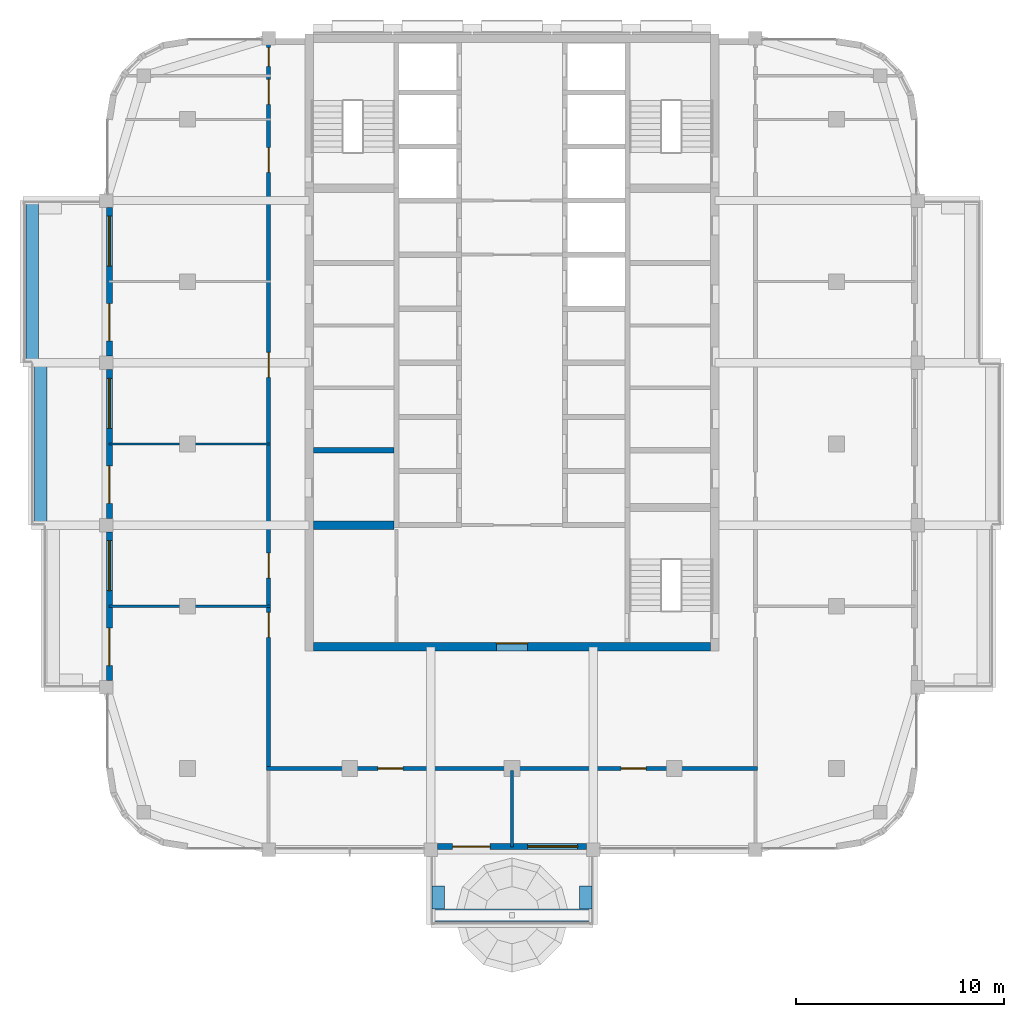
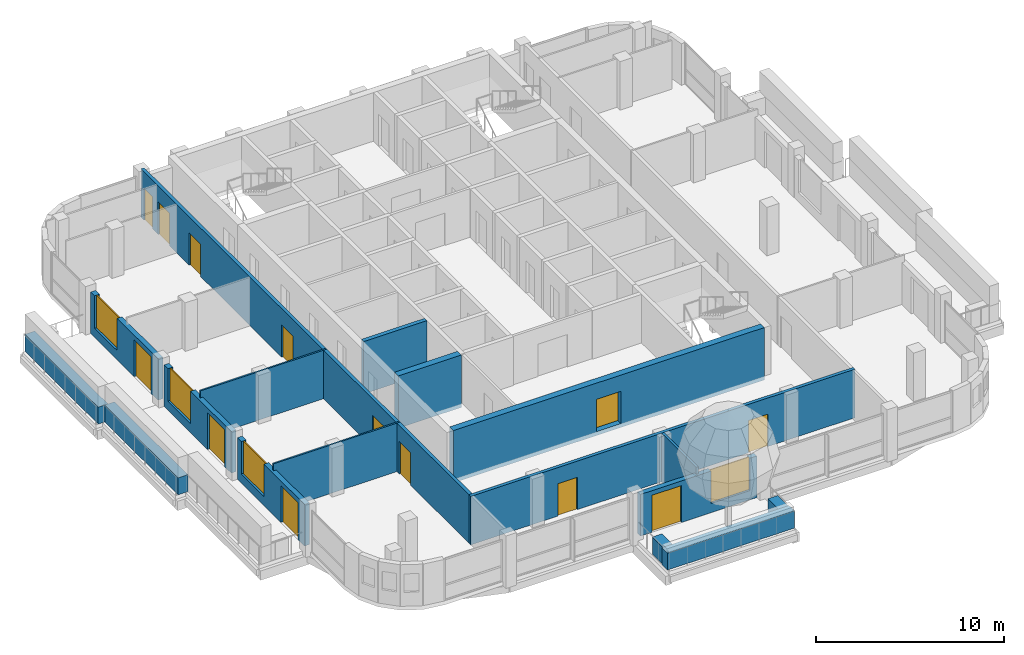
# One storey, part 10 of 19: 17 walls, 13 doors, 4 windows, 17 openings.
"""IFC4 building model written with IfcOpenShell, lengths in metres."""

from ifc_helpers import new_model, si_unit, direction, frame, frame_2d, origin, place, context, subcontext, project, spatial, rectangle, extrude, material, layer, layer_set, type_object, element, fill, save


model = new_model("IFC4")

# Units and contexts
model_context = context("Model", 3, precision=1e-05, world=origin(), true_north=direction((0.0, 1.0)))
body_context = subcontext(model_context, "Body", "Model", "MODEL_VIEW")
ifc_project = project(units=[si_unit("LENGTHUNIT", "METRE"), si_unit("AREAUNIT", "SQUARE_METRE"), si_unit("VOLUMEUNIT", "CUBIC_METRE"), si_unit("PLANEANGLEUNIT", "RADIAN"), si_unit("MASSUNIT", "GRAM", prefix="KILO")], contexts=[model_context])

# Site, building, storey
site_placement = place(None, origin())
site = spatial("IfcSite", under=ifc_project, at=site_placement, CompositionType="ELEMENT")
building_placement = place(site_placement, origin())
building = spatial("IfcBuilding", under=site, at=building_placement, Name="Ludao Terraces", CompositionType="ELEMENT")
storey_placement = place(building_placement, frame((0.0, 0.0, 256.199951171875)))
storey = spatial("IfcBuildingStorey", under=building, at=storey_placement, Name="L70", CompositionType="ELEMENT", Elevation=256.199951171875)

# Wall, opening, door
ifc_material_1 = material(Name="Concrete C50", Category="concrete")
ifc_layer_1 = layer(ifc_material_1, 0.39990234375)
ifc_layer_set_1 = layer_set([ifc_layer_1], Name="Core wall 400 C50")
wall_type_1 = type_object("IfcWallType", Name="Core wall 400 C50", PredefinedType="SOLIDWALL", material=ifc_layer_set_1)
wall_1_placement = place(storey_placement, frame((75.449951171875, 55.25, -0.25), z_axis=(0.0, 0.0, 1.0), x_axis=(1.0, 0.0, 0.0)))
wall_1 = element("IfcWall", 1, at=wall_1_placement, inside=storey, type_object=wall_type_1, Name="Core wall L70 outer-S", PredefinedType="SOLIDWALL", context=body_context, shape_type="SweptSolid", body=[
    extrude(rectangle(XDim=19.10009765625, YDim=0.39990234375, at=frame_2d((9.550048828125, 0.0))), origin(), (0.0, 0.0, 1.0), 3.400146484375),
])
opening_1_placement = place(wall_1_placement, frame((8.800048828125, 0.0, 0.25)))
opening_1 = element("IfcOpeningElement", 2, at=opening_1_placement, cuts=wall_1, Name="Opening C4-003", PredefinedType="OPENING", context=body_context, shape_type="SweptSolid", body=[
    extrude(rectangle(XDim=1.5, YDim=2.10009765625, at=frame_2d((0.75, 1.050048828125))), frame((0.0, 0.2099609375, 0.0), z_axis=(0.0, -1.0, 0.0), x_axis=(1.0, 0.0, 0.0)), (0.0, 0.0, 1.0), 0.419921875),
])
ifc_material_2 = material(Name="Steel Q235", Category="steel")
door_type_1 = type_object("IfcDoorType", Name="INT Lobby door 1500", OperationType="DOUBLE_DOOR_SINGLE_SWING", PredefinedType="DOOR", material=ifc_material_2)
door_1_placement = place(opening_1_placement, origin())
door_1 = element("IfcDoor", 3, at=door_1_placement, inside=storey, type_object=door_type_1, Name="DOOR 003", OperationType="DOUBLE_DOOR_SINGLE_SWING", OverallHeight=2.10009765625, OverallWidth=1.5, PredefinedType="DOOR", context=body_context, shape_type="SweptSolid", body=[
    extrude(rectangle(XDim=1.5, YDim=2.10009765625, at=frame_2d((0.75, 1.050048828125))), frame((0.0, 0.18505859375, 0.0), z_axis=(0.0, -1.0, 0.0), x_axis=(1.0, 0.0, 0.0)), (0.0, 0.0, 1.0), 0.050048828125),
])
fill(opening_1, door_1)

# Walls
ifc_material_3 = material(Name="Concrete C40", Category="concrete")
ifc_layer_2 = layer(ifc_material_3, 0.60009765625)
ifc_layer_set_2 = layer_set([ifc_layer_2], Name="ENV Planter trough 600")
wall_type_2 = type_object("IfcWallType", Name="ENV Planter trough 600", PredefinedType="USERDEFINED", material=ifc_layer_set_2)
wall_2_placement = place(storey_placement, frame((81.10009765625, 42.35009765625, 0.0), z_axis=(0.0, 0.0, 1.0), x_axis=(1.0, 0.0, 0.0)))
element("IfcWall", 4, at=wall_2_placement, inside=storey, type_object=wall_type_2, Name="PL-L70-S1", ObjectType="PLANTER", PredefinedType="USERDEFINED", context=body_context, shape_type="SweptSolid", body=[
    extrude(rectangle(XDim=7.7998046875, YDim=0.60009765625, at=frame_2d((3.89990234375, 0.0))), origin(), (0.0, 0.0, 1.0), 1.10009765625),
])
for number, where, z_axis, x_axis, name in (
    (5, (81.449951171875, 42.64990234375, 0.0), (0.0, 0.0, 1.0), (0.0, 1.0, 0.0), "PL-L70-S1-SA"),
    (6, (88.550048828125, 42.64990234375, 0.0), (0.0, 0.0, 1.0), (0.0, 1.0, 0.0), "PL-L70-S1-SB"),
):
    element("IfcWall", number, at=place(storey_placement, frame(where, z_axis=z_axis, x_axis=x_axis)), inside=storey, type_object=wall_type_2, Name=name, ObjectType="PLANTER", PredefinedType="USERDEFINED", context=body_context, shape_type="SweptSolid", body=[
        extrude(rectangle(XDim=1.10009765625, YDim=0.60009765625, at=frame_2d((0.550048828125, 0.0))), origin(), (0.0, 0.0, 1.0), 1.10009765625),
    ])
wall_3_placement = place(storey_placement, frame((62.35009765625, 61.10009765625, 0.0), z_axis=(0.0, 0.0, 1.0), x_axis=(0.0, 1.0, 0.0)))
element("IfcWall", 7, at=wall_3_placement, inside=storey, type_object=wall_type_2, Name="PL-L70-W2", ObjectType="PLANTER", PredefinedType="USERDEFINED", context=body_context, shape_type="SweptSolid", body=[
    extrude(rectangle(XDim=7.7998046875, YDim=0.60009765625, at=frame_2d((3.89990234375, 0.0))), origin(), (0.0, 0.0, 1.0), 1.10009765625),
])
wall_4_placement = place(storey_placement, frame((61.949951171875, 68.89990234375, 0.0), z_axis=(0.0, 0.0, 1.0), x_axis=(0.0, 1.0, 0.0)))
element("IfcWall", 8, at=wall_4_placement, inside=storey, type_object=wall_type_2, Name="PL-L70-W3", ObjectType="PLANTER", PredefinedType="USERDEFINED", context=body_context, shape_type="SweptSolid", body=[
    extrude(rectangle(XDim=7.800048828125, YDim=0.60009765625, at=frame_2d((3.89990234375, 0.0))), origin(), (0.0, 0.0, 1.0), 1.10009765625),
])

# Wall, openings, door, window
ifc_material_4 = material(Name="Granite cladding", Category="masonry")
ifc_layer_3 = layer(ifc_material_4, 0.0400390625, Category="stone")
ifc_material_5 = material(Name="Mineral wool")
ifc_layer_4 = layer(ifc_material_5, 0.06005859375)
ifc_layer_5 = layer(ifc_material_3, 0.199951171875, Category="concrete")
ifc_layer_set_3 = layer_set([ifc_layer_3, ifc_layer_4, ifc_layer_5], Name="ENV Stone-clad wall 300")
wall_type_3 = type_object("IfcWallType", Name="ENV Stone-clad wall 300", PredefinedType="SOLIDWALL", material=ifc_layer_set_3)
wall_5_placement = place(storey_placement, frame((81.425048828125, 45.64990234375, 0.0), z_axis=(0.0, 0.0, 1.0), x_axis=(1.0, 0.0, 0.0)))
wall_5 = element("IfcWall", 9, at=wall_5_placement, inside=storey, type_object=wall_type_3, Name="EW-L70-S3", PredefinedType="SOLIDWALL", context=body_context, shape_type="SweptSolid", body=[
    extrude(rectangle(XDim=7.14990234375, YDim=0.300048828125, at=frame_2d((3.574951171875, 0.0))), origin(), (0.0, 0.0, 1.0), 2.699951171875),
])
opening_2_placement = place(wall_5_placement, frame((0.72509765625, 0.0, 0.0)))
opening_2 = element("IfcOpeningElement", 10, at=opening_2_placement, cuts=wall_5, Name="Opening BD", PredefinedType="OPENING", context=body_context, shape_type="SweptSolid", body=[
    extrude(rectangle(XDim=1.800048828125, YDim=2.39990234375, at=frame_2d((0.89990234375, 1.199951171875))), frame((0.0, 0.16015625, 0.0), z_axis=(0.0, -1.0, 0.0), x_axis=(1.0, 0.0, 0.0)), (0.0, 0.0, 1.0), 0.320068359375),
])
opening_3_placement = place(wall_5_placement, frame((4.324951171875, 0.0, 0.60009765625)))
opening_3 = element("IfcOpeningElement", 11, at=opening_3_placement, cuts=wall_5, Name="Opening W4", PredefinedType="OPENING", context=body_context, shape_type="SweptSolid", body=[
    extrude(rectangle(XDim=2.39990234375, YDim=2.10009765625, at=frame_2d((1.199951171875, 1.050048828125))), frame((0.0, 0.16015625, 0.0), z_axis=(0.0, -1.0, 0.0), x_axis=(1.0, 0.0, 0.0)), (0.0, 0.0, 1.0), 0.320068359375),
])
ifc_material_6 = material(Name="Aluminium glazed door", Category="aluminium")
ifc_layer_6 = layer(ifc_material_6, 0.06005859375)
ifc_layer_set_4 = layer_set([ifc_layer_6], Name="ENV Balcony door BD 1800x2400")
door_type_2 = type_object("IfcDoorType", Name="ENV Balcony door BD 1800x2400", OperationType="DOUBLE_DOOR_SINGLE_SWING", PredefinedType="DOOR", material=ifc_layer_set_4)
door_2_placement = place(opening_2_placement, origin())
door_2 = element("IfcDoor", 12, at=door_2_placement, inside=storey, type_object=door_type_2, Name="BD-L70-S3-1", OperationType="DOUBLE_DOOR_SINGLE_SWING", OverallHeight=2.39990234375, OverallWidth=1.800048828125, PredefinedType="DOOR", context=body_context, shape_type="SweptSolid", body=[
    extrude(rectangle(XDim=1.800048828125, YDim=2.39990234375, at=frame_2d((0.89990234375, 1.199951171875))), frame((0.0, 0.02490234375, 0.0), z_axis=(0.0, -1.0, 0.0), x_axis=(1.0, 0.0, 0.0)), (0.0, 0.0, 1.0), 0.050048828125),
])
fill(opening_2, door_2)
ifc_material_7 = material(Name="Clear glass in aluminium frame", Category="aluminium")
ifc_layer_7 = layer(ifc_material_7, 0.06005859375)
ifc_layer_set_5 = layer_set([ifc_layer_7], Name="ENV Window W4 2400x2100")
window_type = type_object("IfcWindowType", Name="ENV Window W4 2400x2100", PartitioningType="SINGLE_PANEL", PredefinedType="WINDOW", material=ifc_layer_set_5)
window_1_placement = place(opening_3_placement, origin())
window_1 = element("IfcWindow", 13, at=window_1_placement, inside=storey, type_object=window_type, Name="W-L70-S3-2", OverallHeight=2.10009765625, OverallWidth=2.39990234375, PartitioningType="SINGLE_PANEL", PredefinedType="WINDOW", context=body_context, shape_type="SweptSolid", body=[
    extrude(rectangle(XDim=2.39990234375, YDim=2.10009765625, at=frame_2d((1.199951171875, 1.050048828125))), frame((0.0, 0.030029296875, 0.0), z_axis=(0.0, -1.0, 0.0), x_axis=(1.0, 0.0, 0.0)), (0.0, 0.0, 1.0), 0.06005859375),
])
fill(opening_3, window_1)

wall_6_placement = place(storey_placement, frame((65.64990234375, 53.625, 0.0), z_axis=(0.0, 0.0, 1.0), x_axis=(0.0, 1.0, 0.0)))
wall_6 = element("IfcWall", 14, at=wall_6_placement, inside=storey, type_object=wall_type_3, Name="EW-L70-W2", PredefinedType="SOLIDWALL", context=body_context, shape_type="SweptSolid", body=[
    extrude(rectangle(XDim=7.14990234375, YDim=0.300048828125, at=frame_2d((3.574951171875, 0.0))), origin(), (0.0, 0.0, 1.0), 2.699951171875),
])
opening_4_placement = place(wall_6_placement, frame((0.72509765625, 0.0, 0.0)))
opening_4 = element("IfcOpeningElement", 15, at=opening_4_placement, cuts=wall_6, Name="Opening BD", PredefinedType="OPENING", context=body_context, shape_type="SweptSolid", body=[
    extrude(rectangle(XDim=1.800048828125, YDim=2.39990234375, at=frame_2d((0.89990234375, 1.199951171875))), frame((0.0, 0.16015625, 0.0), z_axis=(0.0, -1.0, 0.0), x_axis=(1.0, 0.0, 0.0)), (0.0, 0.0, 1.0), 0.320068359375),
])
opening_5_placement = place(wall_6_placement, frame((4.324951171875, 0.0, 0.60009765625)))
opening_5 = element("IfcOpeningElement", 16, at=opening_5_placement, cuts=wall_6, Name="Opening W4", PredefinedType="OPENING", context=body_context, shape_type="SweptSolid", body=[
    extrude(rectangle(XDim=2.39990234375, YDim=2.10009765625, at=frame_2d((1.199951171875, 1.050048828125))), frame((0.0, 0.16015625, 0.0), z_axis=(0.0, -1.0, 0.0), x_axis=(1.0, 0.0, 0.0)), (0.0, 0.0, 1.0), 0.320068359375),
])
door_3_placement = place(opening_4_placement, origin())
door_3 = element("IfcDoor", 17, at=door_3_placement, inside=storey, type_object=door_type_2, Name="BD-L70-W2-1", OperationType="DOUBLE_DOOR_SINGLE_SWING", OverallHeight=2.39990234375, OverallWidth=1.800048828125, PredefinedType="DOOR", context=body_context, shape_type="SweptSolid", body=[
    extrude(rectangle(XDim=1.800048828125, YDim=2.39990234375, at=frame_2d((0.89990234375, 1.199951171875))), frame((0.0, 0.02490234375, 0.0), z_axis=(0.0, -1.0, 0.0), x_axis=(1.0, 0.0, 0.0)), (0.0, 0.0, 1.0), 0.050048828125),
])
fill(opening_4, door_3)
window_2_placement = place(opening_5_placement, origin())
window_2 = element("IfcWindow", 18, at=window_2_placement, inside=storey, type_object=window_type, Name="W-L70-W2-2", OverallHeight=2.10009765625, OverallWidth=2.39990234375, PartitioningType="SINGLE_PANEL", PredefinedType="WINDOW", context=body_context, shape_type="SweptSolid", body=[
    extrude(rectangle(XDim=2.39990234375, YDim=2.10009765625, at=frame_2d((1.199951171875, 1.050048828125))), frame((0.0, 0.030029296875, 0.0), z_axis=(0.0, -1.0, 0.0), x_axis=(1.0, 0.0, 0.0)), (0.0, 0.0, 1.0), 0.06005859375),
])
fill(opening_5, window_2)

wall_7_placement = place(storey_placement, frame((65.64990234375, 61.425048828125, 0.0), z_axis=(0.0, 0.0, 1.0), x_axis=(0.0, 1.0, 0.0)))
wall_7 = element("IfcWall", 19, at=wall_7_placement, inside=storey, type_object=wall_type_3, Name="EW-L70-W3", PredefinedType="SOLIDWALL", context=body_context, shape_type="SweptSolid", body=[
    extrude(rectangle(XDim=7.14990234375, YDim=0.300048828125, at=frame_2d((3.574951171875, 0.0))), origin(), (0.0, 0.0, 1.0), 2.699951171875),
])
opening_6_placement = place(wall_7_placement, frame((0.72509765625, 0.0, 0.0)))
opening_6 = element("IfcOpeningElement", 20, at=opening_6_placement, cuts=wall_7, Name="Opening BD", PredefinedType="OPENING", context=body_context, shape_type="SweptSolid", body=[
    extrude(rectangle(XDim=1.800048828125, YDim=2.39990234375, at=frame_2d((0.89990234375, 1.199951171875))), frame((0.0, 0.16015625, 0.0), z_axis=(0.0, -1.0, 0.0), x_axis=(1.0, 0.0, 0.0)), (0.0, 0.0, 1.0), 0.320068359375),
])
opening_7_placement = place(wall_7_placement, frame((4.324951171875, 0.0, 0.60009765625)))
opening_7 = element("IfcOpeningElement", 21, at=opening_7_placement, cuts=wall_7, Name="Opening W4", PredefinedType="OPENING", context=body_context, shape_type="SweptSolid", body=[
    extrude(rectangle(XDim=2.39990234375, YDim=2.10009765625, at=frame_2d((1.199951171875, 1.050048828125))), frame((0.0, 0.16015625, 0.0), z_axis=(0.0, -1.0, 0.0), x_axis=(1.0, 0.0, 0.0)), (0.0, 0.0, 1.0), 0.320068359375),
])
door_4_placement = place(opening_6_placement, origin())
door_4 = element("IfcDoor", 22, at=door_4_placement, inside=storey, type_object=door_type_2, Name="BD-L70-W3-1", OperationType="DOUBLE_DOOR_SINGLE_SWING", OverallHeight=2.39990234375, OverallWidth=1.800048828125, PredefinedType="DOOR", context=body_context, shape_type="SweptSolid", body=[
    extrude(rectangle(XDim=1.800048828125, YDim=2.39990234375, at=frame_2d((0.89990234375, 1.199951171875))), frame((0.0, 0.02490234375, 0.0), z_axis=(0.0, -1.0, 0.0), x_axis=(1.0, 0.0, 0.0)), (0.0, 0.0, 1.0), 0.050048828125),
])
fill(opening_6, door_4)
window_3_placement = place(opening_7_placement, origin())
window_3 = element("IfcWindow", 23, at=window_3_placement, inside=storey, type_object=window_type, Name="W-L70-W3-2", OverallHeight=2.10009765625, OverallWidth=2.39990234375, PartitioningType="SINGLE_PANEL", PredefinedType="WINDOW", context=body_context, shape_type="SweptSolid", body=[
    extrude(rectangle(XDim=2.39990234375, YDim=2.10009765625, at=frame_2d((1.199951171875, 1.050048828125))), frame((0.0, 0.030029296875, 0.0), z_axis=(0.0, -1.0, 0.0), x_axis=(1.0, 0.0, 0.0)), (0.0, 0.0, 1.0), 0.06005859375),
])
fill(opening_7, window_3)

wall_8_placement = place(storey_placement, frame((65.64990234375, 69.22509765625, 0.0), z_axis=(0.0, 0.0, 1.0), x_axis=(0.0, 1.0, 0.0)))
wall_8 = element("IfcWall", 24, at=wall_8_placement, inside=storey, type_object=wall_type_3, Name="EW-L70-W4", PredefinedType="SOLIDWALL", context=body_context, shape_type="SweptSolid", body=[
    extrude(rectangle(XDim=7.14990234375, YDim=0.300048828125, at=frame_2d((3.574951171875, 0.0))), origin(), (0.0, 0.0, 1.0), 2.699951171875),
])
opening_8_placement = place(wall_8_placement, frame((0.72509765625, 0.0, 0.0)))
opening_8 = element("IfcOpeningElement", 25, at=opening_8_placement, cuts=wall_8, Name="Opening BD", PredefinedType="OPENING", context=body_context, shape_type="SweptSolid", body=[
    extrude(rectangle(XDim=1.800048828125, YDim=2.39990234375, at=frame_2d((0.89990234375, 1.199951171875))), frame((0.0, 0.16015625, 0.0), z_axis=(0.0, -1.0, 0.0), x_axis=(1.0, 0.0, 0.0)), (0.0, 0.0, 1.0), 0.320068359375),
])
opening_9_placement = place(wall_8_placement, frame((4.324951171875, 0.0, 0.60009765625)))
opening_9 = element("IfcOpeningElement", 26, at=opening_9_placement, cuts=wall_8, Name="Opening W4", PredefinedType="OPENING", context=body_context, shape_type="SweptSolid", body=[
    extrude(rectangle(XDim=2.39990234375, YDim=2.10009765625, at=frame_2d((1.199951171875, 1.050048828125))), frame((0.0, 0.16015625, 0.0), z_axis=(0.0, -1.0, 0.0), x_axis=(1.0, 0.0, 0.0)), (0.0, 0.0, 1.0), 0.320068359375),
])
door_5_placement = place(opening_8_placement, origin())
door_5 = element("IfcDoor", 27, at=door_5_placement, inside=storey, type_object=door_type_2, Name="BD-L70-W4-1", OperationType="DOUBLE_DOOR_SINGLE_SWING", OverallHeight=2.39990234375, OverallWidth=1.800048828125, PredefinedType="DOOR", context=body_context, shape_type="SweptSolid", body=[
    extrude(rectangle(XDim=1.800048828125, YDim=2.39990234375, at=frame_2d((0.89990234375, 1.199951171875))), frame((0.0, 0.02490234375, 0.0), z_axis=(0.0, -1.0, 0.0), x_axis=(1.0, 0.0, 0.0)), (0.0, 0.0, 1.0), 0.050048828125),
])
fill(opening_8, door_5)
window_4_placement = place(opening_9_placement, origin())
window_4 = element("IfcWindow", 28, at=window_4_placement, inside=storey, type_object=window_type, Name="W-L70-W4-2", OverallHeight=2.10009765625, OverallWidth=2.39990234375, PartitioningType="SINGLE_PANEL", PredefinedType="WINDOW", context=body_context, shape_type="SweptSolid", body=[
    extrude(rectangle(XDim=2.39990234375, YDim=2.10009765625, at=frame_2d((1.199951171875, 1.050048828125))), frame((0.0, 0.030029296875, 0.0), z_axis=(0.0, -1.0, 0.0), x_axis=(1.0, 0.0, 0.0)), (0.0, 0.0, 1.0), 0.06005859375),
])
fill(opening_9, window_4)

# Wall, openings, doors
ifc_material_8 = material(Name="Autoclaved aerated concrete block B06 A3.5", Category="concrete")
ifc_layer_8 = layer(ifc_material_8, 0.199951171875)
ifc_layer_set_6 = layer_set([ifc_layer_8], Name="INT Entrance wall 200")
wall_type_4 = type_object("IfcWallType", Name="INT Entrance wall 200", PredefinedType="PARTITIONING", material=ifc_layer_set_6)
wall_9_placement = place(storey_placement, frame((73.2001953125, 49.39990234375, 0.0), z_axis=(0.0, 0.0, 1.0), x_axis=(1.0, 0.0, 0.0)))
wall_9 = element("IfcWall", 29, at=wall_9_placement, inside=storey, type_object=wall_type_4, Name="PW-L70-PW000", PredefinedType="PARTITIONING", context=body_context, shape_type="SweptSolid", body=[
    extrude(rectangle(XDim=23.599853515625, YDim=0.199951171875, at=frame_2d((11.7998046875, 0.0))), origin(), (0.0, 0.0, 1.0), 3.150146484375),
])
opening_10_placement = place(wall_9_placement, frame((5.349853515625, 0.0, 0.0)))
opening_10 = element("IfcOpeningElement", 30, at=opening_10_placement, cuts=wall_9, Name="Opening C4-001", PredefinedType="OPENING", context=body_context, shape_type="SweptSolid", body=[
    extrude(rectangle(XDim=1.199951171875, YDim=2.10009765625, at=frame_2d((0.60009765625, 1.050048828125))), frame((0.0, 0.10986328125, 0.0), z_axis=(0.0, -1.0, 0.0), x_axis=(1.0, 0.0, 0.0)), (0.0, 0.0, 1.0), 0.219970703125),
])
opening_11_placement = place(wall_9_placement, frame((17.0498046875, 0.0, 0.0)))
opening_11 = element("IfcOpeningElement", 31, at=opening_11_placement, cuts=wall_9, Name="Opening C4-002", PredefinedType="OPENING", context=body_context, shape_type="SweptSolid", body=[
    extrude(rectangle(XDim=1.199951171875, YDim=2.10009765625, at=frame_2d((0.60009765625, 1.050048828125))), frame((0.0, 0.10986328125, 0.0), z_axis=(0.0, -1.0, 0.0), x_axis=(1.0, 0.0, 0.0)), (0.0, 0.0, 1.0), 0.219970703125),
])
ifc_material_9 = material(Name="Timber door leaf", Category="wood")
door_type_3 = type_object("IfcDoorType", Name="INT Double door 1200", OperationType="DOUBLE_DOOR_SINGLE_SWING", PredefinedType="DOOR", material=ifc_material_9)
door_6_placement = place(opening_10_placement, origin())
door_6 = element("IfcDoor", 32, at=door_6_placement, inside=storey, type_object=door_type_3, Name="DOOR 001", OperationType="DOUBLE_DOOR_SINGLE_SWING", OverallHeight=2.10009765625, OverallWidth=1.199951171875, PredefinedType="DOOR", context=body_context, shape_type="SweptSolid", body=[
    extrude(rectangle(XDim=1.199951171875, YDim=2.10009765625, at=frame_2d((0.60009765625, 1.050048828125))), frame((0.0, 0.02490234375, 0.0), z_axis=(0.0, -1.0, 0.0), x_axis=(1.0, 0.0, 0.0)), (0.0, 0.0, 1.0), 0.050048828125),
])
fill(opening_10, door_6)
door_7_placement = place(opening_11_placement, origin())
door_7 = element("IfcDoor", 33, at=door_7_placement, inside=storey, type_object=door_type_3, Name="DOOR 002", OperationType="DOUBLE_DOOR_SINGLE_SWING", OverallHeight=2.10009765625, OverallWidth=1.199951171875, PredefinedType="DOOR", context=body_context, shape_type="SweptSolid", body=[
    extrude(rectangle(XDim=1.199951171875, YDim=2.10009765625, at=frame_2d((0.60009765625, 1.050048828125))), frame((0.0, 0.02490234375, 0.0), z_axis=(0.0, -1.0, 0.0), x_axis=(1.0, 0.0, 0.0)), (0.0, 0.0, 1.0), 0.050048828125),
])
fill(opening_11, door_7)

wall_10_placement = place(storey_placement, frame((73.300048828125, 49.5, 0.0), z_axis=(0.0, 0.0, 1.0), x_axis=(0.0, 1.0, 0.0)))
wall_10 = element("IfcWall", 34, at=wall_10_placement, inside=storey, type_object=wall_type_4, Name="PW-L70-PW018", PredefinedType="PARTITIONING", context=body_context, shape_type="SweptSolid", body=[
    extrude(rectangle(XDim=34.864990234375, YDim=0.199951171875, at=frame_2d((17.4326171875, 0.0))), origin(), (0.0, 0.0, 1.0), 3.150146484375),
])
opening_12_placement = place(wall_10_placement, frame((6.2001953125, 0.0, 0.0)))
opening_12 = element("IfcOpeningElement", 35, at=opening_12_placement, cuts=wall_10, Name="Opening C4-006", PredefinedType="OPENING", context=body_context, shape_type="SweptSolid", body=[
    extrude(rectangle(XDim=1.199951171875, YDim=2.10009765625, at=frame_2d((0.60009765625, 1.050048828125))), frame((0.0, 0.10986328125, 0.0), z_axis=(0.0, -1.0, 0.0), x_axis=(1.0, 0.0, 0.0)), (0.0, 0.0, 1.0), 0.219970703125),
])
opening_13_placement = place(wall_10_placement, frame((9.050048828125, 0.0, 0.0)))
opening_13 = element("IfcOpeningElement", 36, at=opening_13_placement, cuts=wall_10, Name="Opening C4-009", PredefinedType="OPENING", context=body_context, shape_type="SweptSolid", body=[
    extrude(rectangle(XDim=1.199951171875, YDim=2.10009765625, at=frame_2d((0.60009765625, 1.050048828125))), frame((0.0, 0.10986328125, 0.0), z_axis=(0.0, -1.0, 0.0), x_axis=(1.0, 0.0, 0.0)), (0.0, 0.0, 1.0), 0.219970703125),
])
opening_14_placement = place(wall_10_placement, frame((18.7001953125, 0.0, 0.0)))
opening_14 = element("IfcOpeningElement", 37, at=opening_14_placement, cuts=wall_10, Name="Opening C4-022", PredefinedType="OPENING", context=body_context, shape_type="SweptSolid", body=[
    extrude(rectangle(XDim=1.199951171875, YDim=2.10009765625, at=frame_2d((0.60009765625, 1.050048828125))), frame((0.0, 0.10986328125, 0.0), z_axis=(0.0, -1.0, 0.0), x_axis=(1.0, 0.0, 0.0)), (0.0, 0.0, 1.0), 0.219970703125),
])
opening_15_placement = place(wall_10_placement, frame((28.550048828125, 0.0, 0.0)))
opening_15 = element("IfcOpeningElement", 38, at=opening_15_placement, cuts=wall_10, Name="Opening C4-041", PredefinedType="OPENING", context=body_context, shape_type="SweptSolid", body=[
    extrude(rectangle(XDim=1.199951171875, YDim=2.10009765625, at=frame_2d((0.60009765625, 1.050048828125))), frame((0.0, 0.10986328125, 0.0), z_axis=(0.0, -1.0, 0.0), x_axis=(1.0, 0.0, 0.0)), (0.0, 0.0, 1.0), 0.219970703125),
])
opening_16_placement = place(wall_10_placement, frame((31.8251953125, 0.0, 0.0)))
opening_16 = element("IfcOpeningElement", 39, at=opening_16_placement, cuts=wall_10, Name="Opening C4-045", PredefinedType="OPENING", context=body_context, shape_type="SweptSolid", body=[
    extrude(rectangle(XDim=1.199951171875, YDim=2.10009765625, at=frame_2d((0.60009765625, 1.050048828125))), frame((0.0, 0.10986328125, 0.0), z_axis=(0.0, -1.0, 0.0), x_axis=(1.0, 0.0, 0.0)), (0.0, 0.0, 1.0), 0.219970703125),
])
opening_17_placement = place(wall_10_placement, frame((33.650146484375, 0.0, 0.0)))
opening_17 = element("IfcOpeningElement", 40, at=opening_17_placement, cuts=wall_10, Name="Opening C4-049", PredefinedType="OPENING", context=body_context, shape_type="SweptSolid", body=[
    extrude(rectangle(XDim=0.89990234375, YDim=2.10009765625, at=frame_2d((0.449951171875, 1.050048828125))), frame((0.0, 0.10986328125, 0.0), z_axis=(0.0, -1.0, 0.0), x_axis=(1.0, 0.0, 0.0)), (0.0, 0.0, 1.0), 0.219970703125),
])
door_8_placement = place(opening_12_placement, origin())
door_8 = element("IfcDoor", 41, at=door_8_placement, inside=storey, type_object=door_type_3, Name="DOOR 006", OperationType="DOUBLE_DOOR_SINGLE_SWING", OverallHeight=2.10009765625, OverallWidth=1.199951171875, PredefinedType="DOOR", context=body_context, shape_type="SweptSolid", body=[
    extrude(rectangle(XDim=1.199951171875, YDim=2.10009765625, at=frame_2d((0.60009765625, 1.050048828125))), frame((0.0, 0.02490234375, 0.0), z_axis=(0.0, -1.0, 0.0), x_axis=(1.0, 0.0, 0.0)), (0.0, 0.0, 1.0), 0.050048828125),
])
fill(opening_12, door_8)
door_9_placement = place(opening_13_placement, origin())
door_9 = element("IfcDoor", 42, at=door_9_placement, inside=storey, type_object=door_type_3, Name="DOOR 009", OperationType="DOUBLE_DOOR_SINGLE_SWING", OverallHeight=2.10009765625, OverallWidth=1.199951171875, PredefinedType="DOOR", context=body_context, shape_type="SweptSolid", body=[
    extrude(rectangle(XDim=1.199951171875, YDim=2.10009765625, at=frame_2d((0.60009765625, 1.050048828125))), frame((0.0, 0.02490234375, 0.0), z_axis=(0.0, -1.0, 0.0), x_axis=(1.0, 0.0, 0.0)), (0.0, 0.0, 1.0), 0.050048828125),
])
fill(opening_13, door_9)
door_10_placement = place(opening_14_placement, origin())
door_10 = element("IfcDoor", 43, at=door_10_placement, inside=storey, type_object=door_type_3, Name="DOOR 022", OperationType="DOUBLE_DOOR_SINGLE_SWING", OverallHeight=2.10009765625, OverallWidth=1.199951171875, PredefinedType="DOOR", context=body_context, shape_type="SweptSolid", body=[
    extrude(rectangle(XDim=1.199951171875, YDim=2.10009765625, at=frame_2d((0.60009765625, 1.050048828125))), frame((0.0, 0.02490234375, 0.0), z_axis=(0.0, -1.0, 0.0), x_axis=(1.0, 0.0, 0.0)), (0.0, 0.0, 1.0), 0.050048828125),
])
fill(opening_14, door_10)
door_11_placement = place(opening_15_placement, origin())
door_11 = element("IfcDoor", 44, at=door_11_placement, inside=storey, type_object=door_type_3, Name="DOOR 041", OperationType="DOUBLE_DOOR_SINGLE_SWING", OverallHeight=2.10009765625, OverallWidth=1.199951171875, PredefinedType="DOOR", context=body_context, shape_type="SweptSolid", body=[
    extrude(rectangle(XDim=1.199951171875, YDim=2.10009765625, at=frame_2d((0.60009765625, 1.050048828125))), frame((0.0, 0.02490234375, 0.0), z_axis=(0.0, -1.0, 0.0), x_axis=(1.0, 0.0, 0.0)), (0.0, 0.0, 1.0), 0.050048828125),
])
fill(opening_15, door_11)
door_12_placement = place(opening_16_placement, origin())
door_12 = element("IfcDoor", 45, at=door_12_placement, inside=storey, type_object=door_type_3, Name="DOOR 045", OperationType="DOUBLE_DOOR_SINGLE_SWING", OverallHeight=2.10009765625, OverallWidth=1.199951171875, PredefinedType="DOOR", context=body_context, shape_type="SweptSolid", body=[
    extrude(rectangle(XDim=1.199951171875, YDim=2.10009765625, at=frame_2d((0.60009765625, 1.050048828125))), frame((0.0, 0.02490234375, 0.0), z_axis=(0.0, -1.0, 0.0), x_axis=(1.0, 0.0, 0.0)), (0.0, 0.0, 1.0), 0.050048828125),
])
fill(opening_16, door_12)
door_type_4 = type_object("IfcDoorType", Name="INT Room door 900", OperationType="SINGLE_SWING_LEFT", PredefinedType="DOOR", material=ifc_material_9)
door_13_placement = place(opening_17_placement, origin())
door_13 = element("IfcDoor", 46, at=door_13_placement, inside=storey, type_object=door_type_4, Name="DOOR 049", OperationType="SINGLE_SWING_LEFT", OverallHeight=2.10009765625, OverallWidth=0.89990234375, PredefinedType="DOOR", context=body_context, shape_type="SweptSolid", body=[
    extrude(rectangle(XDim=0.89990234375, YDim=2.10009765625, at=frame_2d((0.449951171875, 1.050048828125))), frame((0.0, 0.02490234375, 0.0), z_axis=(0.0, -1.0, 0.0), x_axis=(1.0, 0.0, 0.0)), (0.0, 0.0, 1.0), 0.050048828125),
])
fill(opening_17, door_13)

# Walls
ifc_material_10 = material(Name="Gypsum plasterboard", Category="gypsum")
ifc_layer_9 = layer(ifc_material_10, 0.012451171875, Category="gypsum")
ifc_layer_10 = layer(ifc_material_5, 0.06005859375, Name="insulation")
ifc_layer_11 = layer(ifc_material_2, 0.014892578125, Name="stud")
ifc_layer_12 = layer(ifc_material_10, 0.012451171875, Category="gypsum")
ifc_layer_set_7 = layer_set([ifc_layer_9, ifc_layer_10, ifc_layer_11, ifc_layer_12], Name="INT Partition 100")
wall_type_5 = type_object("IfcWallType", Name="INT Partition 100", PredefinedType="PARTITIONING", material=ifc_layer_set_7)
for number, where, z_axis, x_axis, name in (
    (47, (65.635009765625, 57.199951171875, 0.0), (0.0, 0.0, 1.0), (1.0, 0.0, 0.0), "PW-L70-PW001"),
    (48, (65.635009765625, 65.0, 0.0), (0.0, 0.0, 1.0), (1.0, 0.0, 0.0), "PW-L70-PW004"),
):
    element("IfcWall", number, at=place(storey_placement, frame(where, z_axis=z_axis, x_axis=x_axis)), inside=storey, type_object=wall_type_5, Name=name, PredefinedType="PARTITIONING", context=body_context, shape_type="SweptSolid", body=[
        extrude(rectangle(XDim=7.76513671875, YDim=0.10009765625, at=frame_2d((3.882568359375, 0.0))), origin(), (0.0, 0.0, 1.0), 3.150146484375),
    ])
ifc_layer_13 = layer(ifc_material_8, 0.14990234375)
ifc_layer_set_8 = layer_set([ifc_layer_13], Name="INT Party wall 150")
wall_type_6 = type_object("IfcWallType", Name="INT Party wall 150", PredefinedType="PARTITIONING", material=ifc_layer_set_8)
wall_11_placement = place(storey_placement, frame((85.0, 45.635009765625, 0.0), z_axis=(0.0, 0.0, 1.0), x_axis=(0.0, 1.0, 0.0)))
element("IfcWall", 49, at=wall_11_placement, inside=storey, type_object=wall_type_6, Name="PW-L70-PW020", PredefinedType="PARTITIONING", context=body_context, shape_type="SweptSolid", body=[
    extrude(rectangle(XDim=3.6650390625, YDim=0.14990234375, at=frame_2d((1.83251953125, 0.0))), origin(), (0.0, 0.0, 1.0), 3.150146484375),
])
ifc_layer_14 = layer(ifc_material_1, 0.25)
ifc_layer_set_9 = layer_set([ifc_layer_14], Name="Shaft wall 250 C50")
wall_type_7 = type_object("IfcWallType", Name="Shaft wall 250 C50", PredefinedType="SOLIDWALL", material=ifc_layer_set_9)
wall_12_placement = place(storey_placement, frame((75.449951171875, 64.699951171875, -0.25), z_axis=(0.0, 0.0, 1.0), x_axis=(1.0, 0.0, 0.0)))
element("IfcWall", 50, at=wall_12_placement, inside=storey, type_object=wall_type_7, Name="Core wall L70 riser-a-W", PredefinedType="SOLIDWALL", context=body_context, shape_type="SweptSolid", body=[
    extrude(rectangle(XDim=3.875, YDim=0.25, at=frame_2d((1.9375, 0.0))), origin(), (0.0, 0.0, 1.0), 3.400146484375),
])
ifc_layer_15 = layer(ifc_material_1, 0.39990234375)
ifc_layer_set_10 = layer_set([ifc_layer_15], Name="Shaft wall 400 C50")
wall_type_8 = type_object("IfcWallType", Name="Shaft wall 400 C50", PredefinedType="SOLIDWALL", material=ifc_layer_set_10)
wall_13_placement = place(storey_placement, frame((75.449951171875, 61.10009765625, -0.25), z_axis=(0.0, 0.0, 1.0), x_axis=(1.0, 0.0, 0.0)))
element("IfcWall", 51, at=wall_13_placement, inside=storey, type_object=wall_type_8, Name="Core wall L70 hall-W", PredefinedType="SOLIDWALL", context=body_context, shape_type="SweptSolid", body=[
    extrude(rectangle(XDim=3.875, YDim=0.39990234375, at=frame_2d((1.9375, 0.0))), origin(), (0.0, 0.0, 1.0), 3.400146484375),
])

save(model, "model.ifc")
